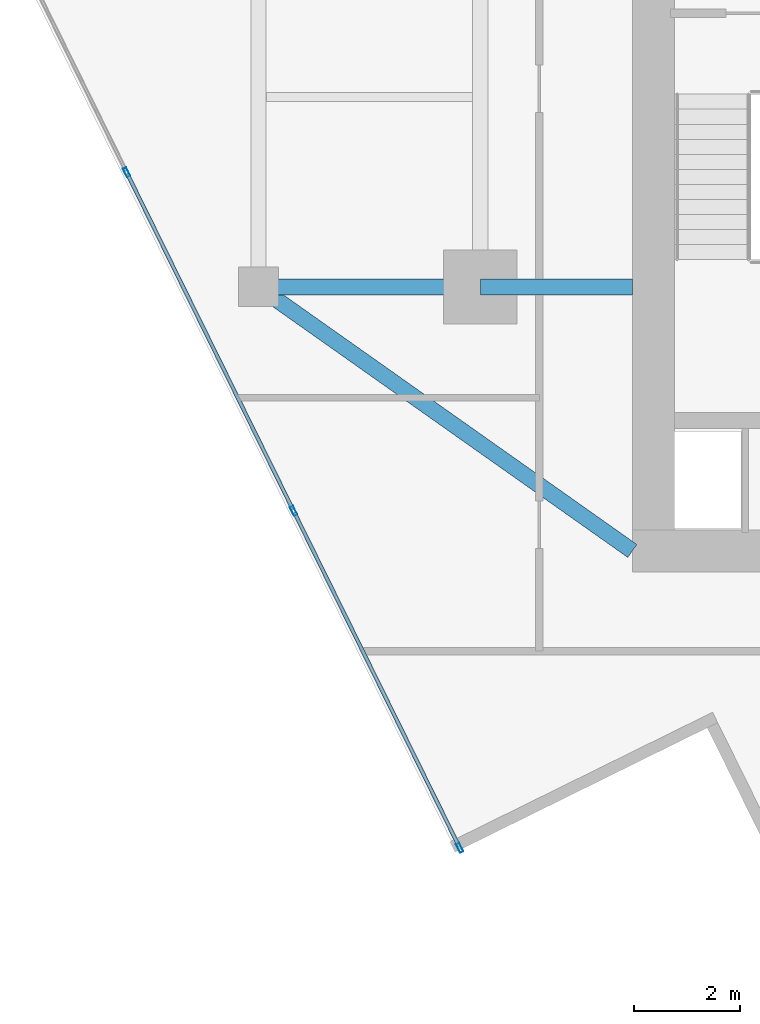
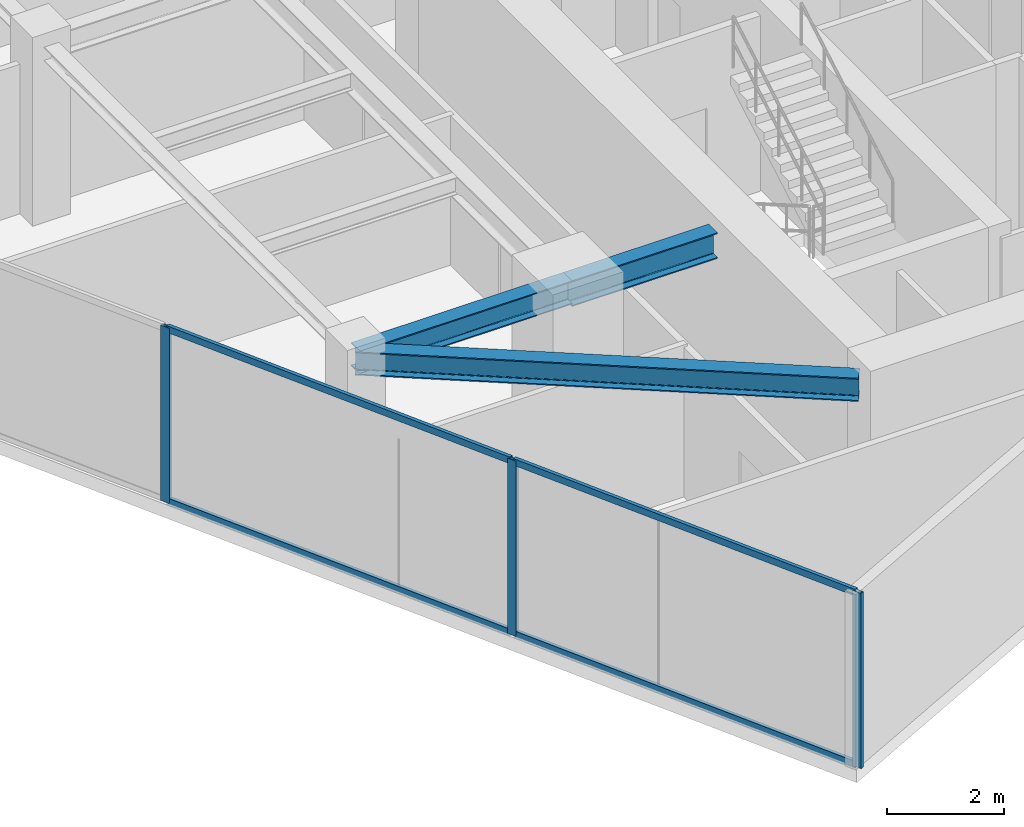
# One storey, part 2 of 22: 7 members, 3 beams, 1 element without a shape of its own.
"""IFC4 building model written with IfcOpenShell, lengths in metres."""

from ifc_helpers import new_model, si_unit, direction, frame, origin, origin_2d, place, context, subcontext, project, spatial, hollow_rectangle, i_section, extrude, source, transform, mapped, material, material_profile, profile_set, type_object, type_shapes, element, aggregate, save


model = new_model("IFC4")

# Units and contexts
model_context = context("Model", 3, precision=1e-05, world=origin(), true_north=direction((0.0, 1.0)))
body_context = subcontext(model_context, "Body", "Model", "MODEL_VIEW")
ifc_project = project(units=[si_unit("LENGTHUNIT", "METRE"), si_unit("AREAUNIT", "SQUARE_METRE"), si_unit("VOLUMEUNIT", "CUBIC_METRE"), si_unit("PLANEANGLEUNIT", "RADIAN"), si_unit("MASSUNIT", "GRAM", prefix="KILO")], contexts=[model_context])

# Site, building, storey
site_placement = place(None, origin())
site = spatial("IfcSite", under=ifc_project, at=site_placement, CompositionType="ELEMENT")
building_placement = place(site_placement, origin())
building = spatial("IfcBuilding", under=site, at=building_placement, Name="Krantzveldt Concourse Tower", CompositionType="ELEMENT")
storey_placement = place(building_placement, frame((0.0, 0.0, 310.85009765625)))
storey = spatial("IfcBuildingStorey", under=building, at=storey_placement, Name="L76", CompositionType="ELEMENT", Elevation=310.85009765625)

# Beams
ifc_material_1 = material(Name="Steel S355JR", Category="steel")
ifc_material_profile_1 = material_profile(ifc_material_1, i_section(OverallWidth=0.300048828125, OverallDepth=0.489990234375, WebThickness=0.011962890625, FlangeThickness=0.02294921875, FilletRadius=0.027099609375, at=origin_2d()), Name="Steel S355JR", Category="steel")
ifc_profile_set_1 = profile_set([ifc_material_profile_1], Name="Steel S355JR - HEA 500")
beam_type_1 = type_object("IfcBeamType", Name="BM-B-HEA500", PredefinedType="BEAM", material=ifc_profile_set_1)
shared_shape_1 = source(origin(), body_context, "Body", "SweptSolid", [
    extrude(i_section(OverallWidth=0.300048828125, OverallDepth=0.489990234375, WebThickness=0.011962890625, FlangeThickness=0.02294921875, FilletRadius=0.027099609375, at=origin_2d()), origin(), (0.0, 0.0, 1.0), 4.199951171875),
])
beam_1_placement = place(storey_placement, frame((21.0, 15.89990234375, 3.4248046875), z_axis=(1.0, 0.0, 0.0), x_axis=(0.0, 1.0, 0.0)))
element("IfcBeam", 1, at=beam_1_placement, inside=storey, type_object=beam_type_1, Name="L76 Tower Girder BR-RL1", PredefinedType="BEAM", context=body_context, shape_type="MappedRepresentation", body=[
    mapped(shared_shape_1, transform((0.0, 0.0, 0.0), x_axis=(1.0, 0.0, 0.0), y_axis=(0.0, 1.0, 0.0), z_axis=(0.0, 0.0, 1.0), scale=1.0)),
])
shared_shape_2 = source(origin(), body_context, "Body", "SweptSolid", [
    extrude(i_section(OverallWidth=0.300048828125, OverallDepth=0.489990234375, WebThickness=0.011962890625, FlangeThickness=0.02294921875, FilletRadius=0.027099609375, at=origin_2d()), origin(), (0.0, 0.0, 1.0), 8.667724609375),
])
type_shapes(beam_type_1, [shared_shape_1, shared_shape_2])
beam_2_placement = place(storey_placement, frame((21.0, 15.89990234375, 3.4248046875), z_axis=(0.81684294656, -0.576860122261, 0.0), x_axis=(0.576860122261, 0.81684294656, 0.0)))
element("IfcBeam", 2, at=beam_2_placement, inside=storey, type_object=beam_type_1, Name="L76 Tower Girder BR-CSW", PredefinedType="BEAM", context=body_context, shape_type="MappedRepresentation", body=[
    mapped(shared_shape_2, transform((0.0, 0.0, 0.0), x_axis=(1.0, 0.0, 0.0), y_axis=(0.0, 1.0, 0.0), z_axis=(0.0, 0.0, 1.0), scale=1.0)),
])
ifc_material_profile_2 = material_profile(ifc_material_1, i_section(OverallWidth=0.300048828125, OverallDepth=0.5400390625, WebThickness=0.012451171875, FlangeThickness=0.02392578125, FilletRadius=0.027099609375, at=origin_2d()), Name="Steel S355JR", Category="steel")
ifc_profile_set_2 = profile_set([ifc_material_profile_2], Name="Steel S355JR - HEA 550")
beam_type_2 = type_object("IfcBeamType", Name="BM-B-HEA550", PredefinedType="BEAM", material=ifc_profile_set_2)
shared_shape_3 = source(origin(), body_context, "Body", "SweptSolid", [
    extrude(i_section(OverallWidth=0.300048828125, OverallDepth=0.5400390625, WebThickness=0.012451171875, FlangeThickness=0.02392578125, FilletRadius=0.027099609375, at=origin_2d()), origin(), (0.0, 0.0, 1.0), 2.880126953125),
])
type_shapes(beam_type_2, [shared_shape_3])
beam_3_placement = place(storey_placement, frame((25.199951171875, 15.89990234375, 3.39990234375), z_axis=(1.0, 0.0, 0.0), x_axis=(0.0, 1.0, 0.0)))
element("IfcBeam", 3, at=beam_3_placement, inside=storey, type_object=beam_type_2, Name="L76 Tower Girder BG-CW1", PredefinedType="BEAM", context=body_context, shape_type="MappedRepresentation", body=[
    mapped(shared_shape_3, transform((0.0, 0.0, 0.0), x_axis=(1.0, 0.0, 0.0), y_axis=(0.0, 1.0, 0.0), z_axis=(0.0, 0.0, 1.0), scale=1.0)),
])

# Curtain wall, members
ifc_material_2 = material(Name="Anodised aluminium 6063-T6", Category="aluminium")
curtain_wall_type = type_object("IfcCurtainWallType", Name="CW4", PredefinedType="USERDEFINED", material=ifc_material_2)
curtain_wall_placement = place(storey_placement, origin())
curtain_wall = element("IfcCurtainWall", 4, at=curtain_wall_placement, inside=storey, type_object=curtain_wall_type, Name="CW-L76-F04", ObjectType="UNITISED CURTAIN WALL", PredefinedType="USERDEFINED")
ifc_material_profile_3 = material_profile(ifc_material_2, hollow_rectangle(XDim=0.070068359375, YDim=0.179931640625, WallThickness=0.0048828125, at=origin_2d()), Name="Anodised aluminium 6063-T6", Category="aluminium")
ifc_profile_set_3 = profile_set([ifc_material_profile_3], Name="Anodised aluminium 6063-T6 - ALU-MULL 180x70x5")
member_type_1 = type_object("IfcMemberType", Name="CW-MUL-180", PredefinedType="MULLION", material=ifc_profile_set_3)
shared_shape_4 = source(origin(), body_context, "Body", "SweptSolid", [
    extrude(hollow_rectangle(XDim=0.070068359375, YDim=0.179931640625, WallThickness=0.0048828125, at=origin_2d()), origin(), (0.0, 0.0, 1.0), 3.669921875),
])
type_shapes(member_type_1, [shared_shape_4])
member_1_placement = place(storey_placement, frame((18.501953125, 18.071044921875, 0.0), z_axis=(0.0, 0.0, 1.0), x_axis=(0.896872829457, 0.442288511927, 0.0)))
member_1 = element("IfcMember", 5, at=member_1_placement, type_object=member_type_1, Name="CW-Z56 mullion 3", PredefinedType="MULLION", context=body_context, shape_type="MappedRepresentation", body=[
    mapped(shared_shape_4, transform((0.0, 0.0, 0.0), x_axis=(1.0, 0.0, 0.0), y_axis=(0.0, 1.0, 0.0), z_axis=(0.0, 0.0, 1.0), scale=1.0)),
])
member_2_placement = place(storey_placement, frame((21.664306640625, 11.658203125, 0.0), z_axis=(0.0, 0.0, 1.0), x_axis=(0.896872829457, 0.442288511927, 0.0)))
member_2 = element("IfcMember", 6, at=member_2_placement, type_object=member_type_1, Name="CW-Z56 mullion 4", PredefinedType="MULLION", context=body_context, shape_type="MappedRepresentation", body=[
    mapped(shared_shape_4, transform((0.0, 0.0, 0.0), x_axis=(1.0, 0.0, 0.0), y_axis=(0.0, 1.0, 0.0), z_axis=(0.0, 0.0, 1.0), scale=1.0)),
])
member_3_placement = place(storey_placement, frame((24.811279296875, 5.277099609375, 0.0), z_axis=(0.0, 0.0, 1.0), x_axis=(0.896872829457, 0.442288511927, 0.0)))
member_3 = element("IfcMember", 7, at=member_3_placement, type_object=member_type_1, Name="CW-Z56 mullion 5", PredefinedType="MULLION", context=body_context, shape_type="MappedRepresentation", body=[
    mapped(shared_shape_4, transform((0.0, 0.0, 0.0), x_axis=(1.0, 0.0, 0.0), y_axis=(0.0, 1.0, 0.0), z_axis=(0.0, 0.0, 1.0), scale=1.0)),
])
ifc_material_profile_4 = material_profile(ifc_material_2, hollow_rectangle(XDim=0.070068359375, YDim=0.139892578125, WallThickness=0.0048828125, at=origin_2d()), Name="Anodised aluminium 6063-T6", Category="aluminium")
ifc_profile_set_4 = profile_set([ifc_material_profile_4], Name="Anodised aluminium 6063-T6 - ALU-TRAN 140x70x5")
member_type_2 = type_object("IfcMemberType", Name="CW-TRN-150", PredefinedType="USERDEFINED", material=ifc_profile_set_4)
shared_shape_5 = source(origin(), body_context, "Body", "SweptSolid", [
    extrude(hollow_rectangle(XDim=0.070068359375, YDim=0.139892578125, WallThickness=0.0048828125, at=origin_2d()), origin(), (0.0, 0.0, 1.0), 7.080078125),
])
member_4_placement = place(storey_placement, frame((18.517578125, 18.03955078125, 0.034912109375), z_axis=(0.442282604958, -0.896875742426, 0.0), x_axis=(0.896875742426, 0.442282604958, 0.0)))
member_4 = element("IfcMember", 8, at=member_4_placement, type_object=member_type_2, Name="CW-Z56 transom 3.1", ObjectType="TRANSOM", PredefinedType="USERDEFINED", context=body_context, shape_type="MappedRepresentation", body=[
    mapped(shared_shape_5, transform((0.0, 0.0, 0.0), x_axis=(1.0, 0.0, 0.0), y_axis=(0.0, 1.0, 0.0), z_axis=(0.0, 0.0, 1.0), scale=1.0)),
])
member_5_placement = place(storey_placement, frame((18.517578125, 18.03955078125, 3.635009765625), z_axis=(0.442282604958, -0.896875742426, 0.0), x_axis=(0.896875742426, 0.442282604958, 0.0)))
member_5 = element("IfcMember", 9, at=member_5_placement, type_object=member_type_2, Name="CW-Z56 transom 3.2", ObjectType="TRANSOM", PredefinedType="USERDEFINED", context=body_context, shape_type="MappedRepresentation", body=[
    mapped(shared_shape_5, transform((0.0, 0.0, 0.0), x_axis=(1.0, 0.0, 0.0), y_axis=(0.0, 1.0, 0.0), z_axis=(0.0, 0.0, 1.0), scale=1.0)),
])
shared_shape_6 = source(origin(), body_context, "Body", "SweptSolid", [
    extrude(hollow_rectangle(XDim=0.070068359375, YDim=0.139892578125, WallThickness=0.0048828125, at=origin_2d()), origin(), (0.0, 0.0, 1.0), 7.045166015625),
])
type_shapes(member_type_2, [shared_shape_5, shared_shape_6])
member_6_placement = place(storey_placement, frame((21.679931640625, 11.626953125, 0.034912109375), z_axis=(0.44228599274, -0.896874071777, 0.0), x_axis=(0.896874071777, 0.44228599274, 0.0)))
member_6 = element("IfcMember", 10, at=member_6_placement, type_object=member_type_2, Name="CW-Z56 transom 4.1", ObjectType="TRANSOM", PredefinedType="USERDEFINED", context=body_context, shape_type="MappedRepresentation", body=[
    mapped(shared_shape_6, transform((0.0, 0.0, 0.0), x_axis=(1.0, 0.0, 0.0), y_axis=(0.0, 1.0, 0.0), z_axis=(0.0, 0.0, 1.0), scale=1.0)),
])
member_7_placement = place(storey_placement, frame((21.679931640625, 11.626953125, 3.635009765625), z_axis=(0.44228599274, -0.896874071777, 0.0), x_axis=(0.896874071777, 0.44228599274, 0.0)))
member_7 = element("IfcMember", 11, at=member_7_placement, type_object=member_type_2, Name="CW-Z56 transom 4.2", ObjectType="TRANSOM", PredefinedType="USERDEFINED", context=body_context, shape_type="MappedRepresentation", body=[
    mapped(shared_shape_6, transform((0.0, 0.0, 0.0), x_axis=(1.0, 0.0, 0.0), y_axis=(0.0, 1.0, 0.0), z_axis=(0.0, 0.0, 1.0), scale=1.0)),
])
aggregate(curtain_wall, [member_1, member_2, member_3, member_4, member_5, member_6, member_7])

save(model, "model.ifc")
